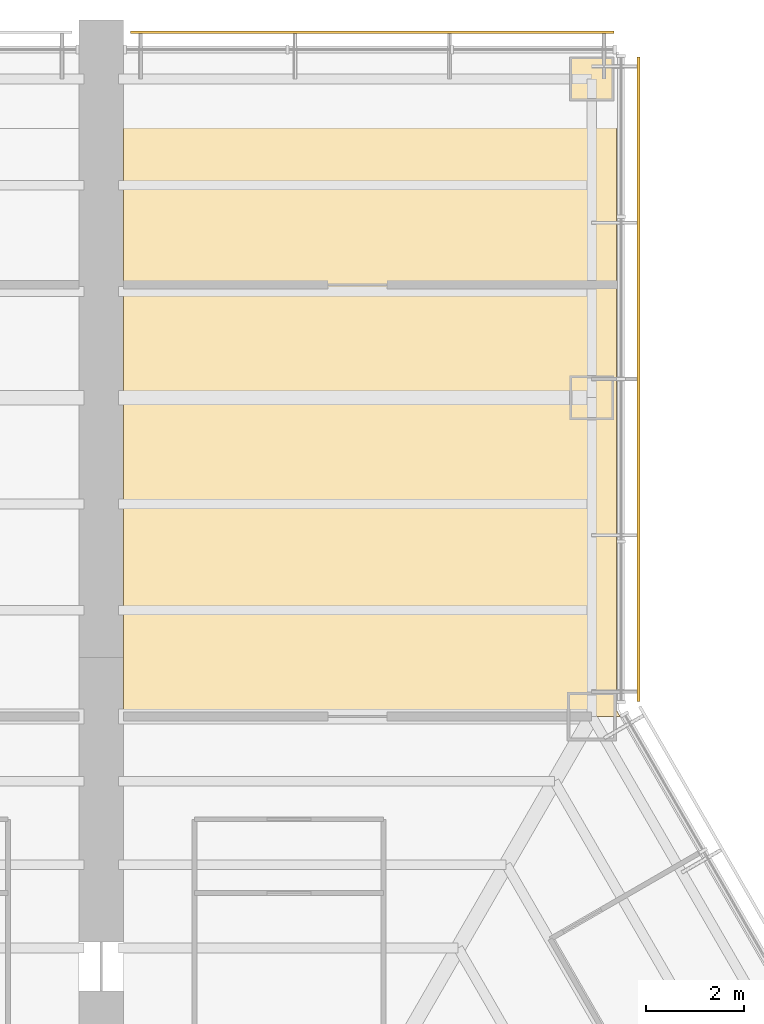
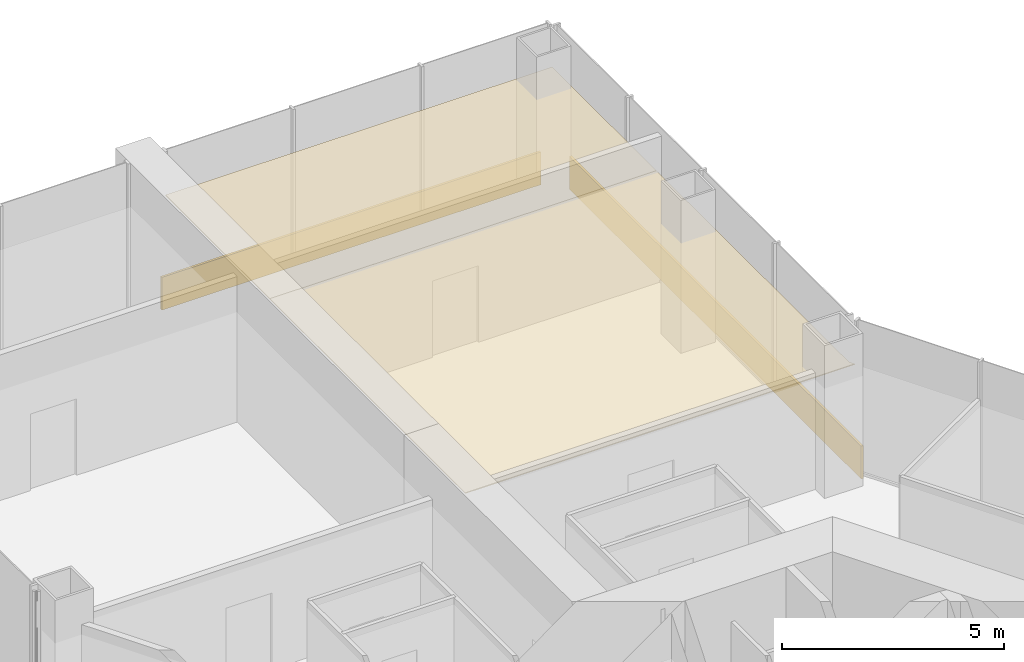
# One storey, part 16 of 16: 2 coverings, 2 shading devices.
"""IFC4 building model written with IfcOpenShell, lengths in metres."""

from ifc_helpers import new_model, si_unit, direction, frame, origin, origin_2d, place, context, subcontext, project, spatial, polyline, rectangle, outline, extrude, material, layer, layer_set, type_object, element, save


model = new_model("IFC4")

# Units and contexts
model_context = context("Model", 3, precision=1e-05, world=origin(), true_north=direction((0.0, 1.0)))
body_context = subcontext(model_context, "Body", "Model", "MODEL_VIEW")
ifc_project = project(units=[si_unit("LENGTHUNIT", "METRE"), si_unit("AREAUNIT", "SQUARE_METRE"), si_unit("VOLUMEUNIT", "CUBIC_METRE"), si_unit("PLANEANGLEUNIT", "RADIAN"), si_unit("MASSUNIT", "GRAM", prefix="KILO")], contexts=[model_context])

# Site, building, storey
site_placement = place(None, origin())
site = spatial("IfcSite", under=ifc_project, at=site_placement, CompositionType="ELEMENT")
building_placement = place(site_placement, origin())
building = spatial("IfcBuilding", under=site, at=building_placement, Name="Kasaneha Research Tower", CompositionType="ELEMENT")
storey_placement = place(building_placement, frame((0.0, 0.0, 10.0)))
storey = spatial("IfcBuildingStorey", under=building, at=storey_placement, Name="L03", CompositionType="ELEMENT", Elevation=10.0)

# Coverings
ifc_material_1 = material(Name="Washable coated ceiling board", Category="gypsum")
ifc_layer_1 = layer(ifc_material_1, 0.02490234375)
ifc_layer_set_1 = layer_set([ifc_layer_1], Name="Laboratory ceiling 25")
covering_type = type_object("IfcCoveringType", Name="Laboratory ceiling 25", PredefinedType="CEILING", material=ifc_layer_set_1)
covering_1_placement = place(storey_placement, frame((0.0, 0.0, 3.0)))
element("IfcCovering", 1, at=covering_1_placement, inside=storey, type_object=covering_type, Name="Ceiling L03-31", PredefinedType="CEILING", context=body_context, shape_type="SweptSolid", body=[
    extrude(outline(polyline([(10.5, 26.12060546875), (10.5, 17.45458984375), (10.577392578125, 17.320556640625), (0.449951171875, 17.320556640625), (0.449951171875, 26.12060546875), (10.5, 26.12060546875)])), origin(), (0.0, 0.0, 1.0), 0.02490234375),
])
covering_2_placement = place(storey_placement, frame((0.0, 0.0, 3.0)))
element("IfcCovering", 2, at=covering_2_placement, inside=storey, type_object=covering_type, Name="Ceiling L03-32", PredefinedType="CEILING", context=body_context, shape_type="SweptSolid", body=[
    extrude(outline(polyline([(10.5, 30.820556640625), (10.5, 26.12060546875), (0.449951171875, 26.12060546875), (0.449951171875, 30.820556640625), (10.5, 30.820556640625)])), origin(), (0.0, 0.0, 1.0), 0.02490234375),
])

# Shading devices
ifc_material_2 = material(Name="Terracotta", Category="masonry")
ifc_layer_2 = layer(ifc_material_2, 0.06005859375)
ifc_layer_set_2 = layer_set([ifc_layer_2], Name="Terracotta baguette screen")
shading_device_type = type_object("IfcShadingDeviceType", Name="Terracotta baguette screen", PredefinedType="USERDEFINED", material=ifc_layer_set_2)
shading_device_1_placement = place(storey_placement, frame((10.949951171875, 24.200927734375, -0.449951171875), z_axis=(0.0, 0.0, 1.0), x_axis=(0.0, 1.0, 0.0)))
element("IfcShadingDevice", 3, at=shading_device_1_placement, inside=storey, type_object=shading_device_type, Name="Baguette screen L03 08", ObjectType="TERRACOTTA BAGUETTE SCREEN", PredefinedType="USERDEFINED", context=body_context, shape_type="SweptSolid", body=[
    extrude(rectangle(XDim=13.13916015625, YDim=0.06005859375, at=origin_2d()), origin(), (0.0, 0.0, 1.0), 0.89990234375),
])
shading_device_2_placement = place(storey_placement, frame((5.52490234375, 31.2705078125, -0.449951171875), z_axis=(0.0, 0.0, 1.0), x_axis=(-1.0, 0.0, 0.0)))
element("IfcShadingDevice", 4, at=shading_device_2_placement, inside=storey, type_object=shading_device_type, Name="Baguette screen L03 09", ObjectType="TERRACOTTA BAGUETTE SCREEN", PredefinedType="USERDEFINED", context=body_context, shape_type="SweptSolid", body=[
    extrude(rectangle(XDim=9.85009765625, YDim=0.06005859375, at=origin_2d()), origin(), (0.0, 0.0, 1.0), 0.89990234375),
])

save(model, "model.ifc")
